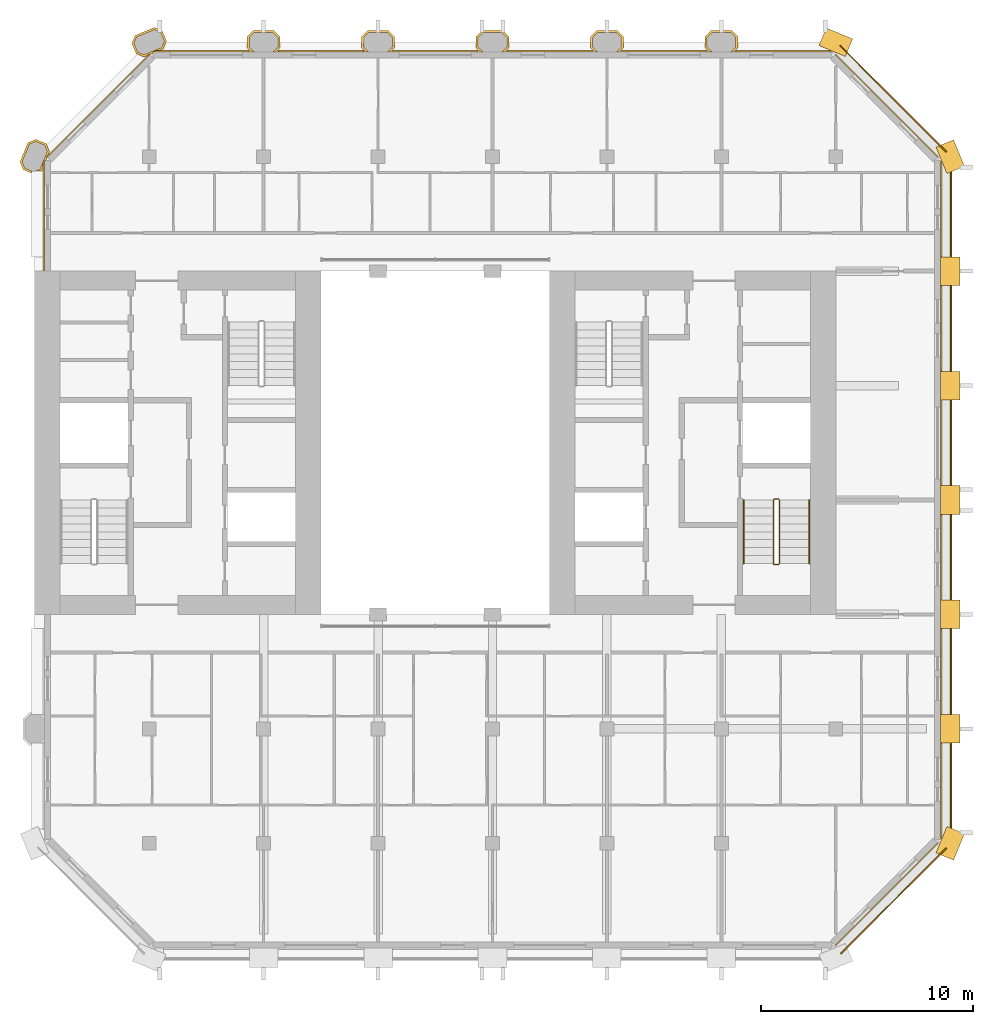
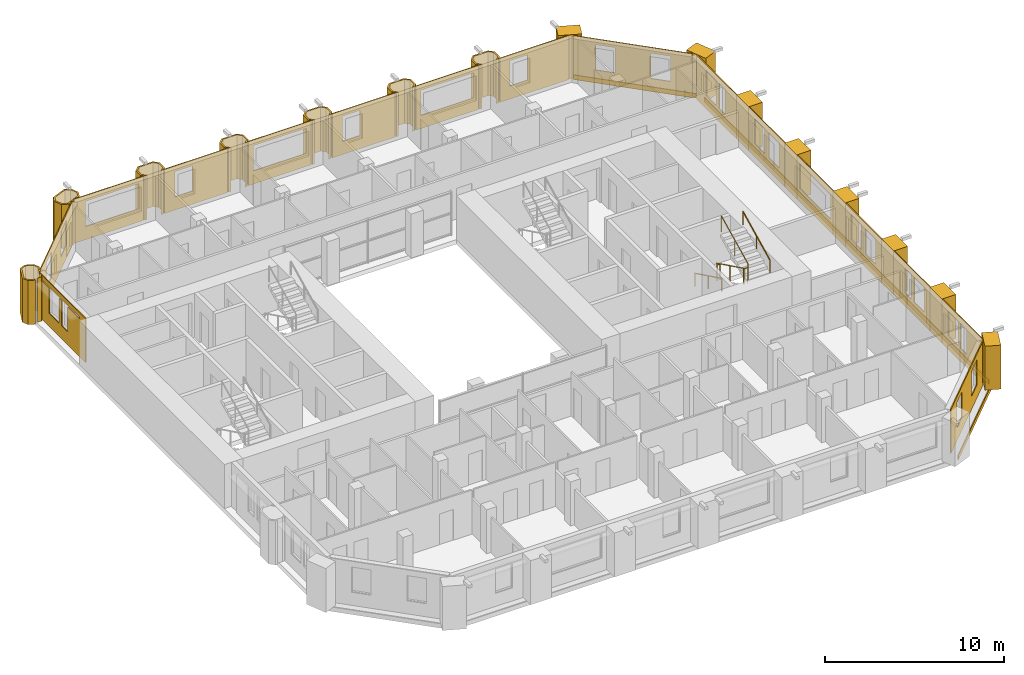
# One storey, part 14 of 14: 34 coverings, 3 railings.
"""IFC4 building model written with IfcOpenShell, lengths in metres."""

from ifc_helpers import new_model, si_unit, direction, frame, frame_2d, origin, origin_2d, place, context, subcontext, project, spatial, polyline, rectangle, circle, outline, extrude, material, layer, layer_set, type_object, element, save


model = new_model("IFC4")

# Units and contexts
model_context = context("Model", 3, precision=1e-05, world=origin(), true_north=direction((0.0, 1.0)))
body_context = subcontext(model_context, "Body", "Model", "MODEL_VIEW")
ifc_project = project(units=[si_unit("LENGTHUNIT", "METRE"), si_unit("AREAUNIT", "SQUARE_METRE"), si_unit("VOLUMEUNIT", "CUBIC_METRE"), si_unit("PLANEANGLEUNIT", "RADIAN"), si_unit("MASSUNIT", "GRAM", prefix="KILO")], contexts=[model_context])

# Site, building, storey
site_placement = place(None, origin())
site = spatial("IfcSite", under=ifc_project, at=site_placement, CompositionType="ELEMENT")
building_placement = place(site_placement, origin())
building = spatial("IfcBuilding", under=site, at=building_placement, Name="Tabaq Tower and Sports Hall", CompositionType="ELEMENT")
storey_placement = place(building_placement, frame((0.0, 0.0, 275.199951171875)))
storey = spatial("IfcBuildingStorey", under=building, at=storey_placement, Name="L67", CompositionType="ELEMENT", Elevation=275.199951171875)

# Coverings
ifc_material_1 = material(Name="Precast concrete C60/75", Category="concrete")
ifc_layer_1 = layer(ifc_material_1, 0.10009765625)
ifc_layer_set_1 = layer_set([ifc_layer_1], Name="Column cladding 100")
covering_type_1 = type_object("IfcCoveringType", Name="Column cladding 100", PredefinedType="CLADDING", material=ifc_layer_set_1)
covering_1_placement = place(storey_placement, origin())
element("IfcCovering", 1, at=covering_1_placement, inside=storey, type_object=covering_type_1, Name="Column cladding L67 PC-2H-R1", PredefinedType="CLADDING", context=body_context, shape_type="SweptSolid", body=[
    extrude(outline(polyline([(4.857421875, 37.186279296875), (4.7041015625, 37.556396484375), (5.080078125, 38.46435546875), (5.450439453125, 38.61767578125), (5.9423828125, 38.413818359375), (6.095947265625, 38.04345703125), (6.026123046875, 37.875), (5.9501953125, 37.799072265625), (5.9814453125, 37.767578125), (5.91796875, 37.614013671875), (5.849609375, 37.614013671875), (5.849609375, 37.55712890625), (5.789794921875, 37.55712890625), (5.789794921875, 37.304443359375), (5.7197265625, 37.1357421875), (5.694580078125, 37.125244140625), (5.434814453125, 37.125244140625), (5.643798828125, 37.2119140625), (5.98828125, 38.04345703125), (5.866455078125, 38.337646484375), (5.450439453125, 38.510009765625), (5.15625, 38.38818359375), (4.811767578125, 37.556396484375), (4.93359375, 37.26220703125), (5.26416015625, 37.125244140625), (5.249755859375, 37.125244140625), (5.249755859375, 37.023681640625), (4.857421875, 37.186279296875)])), origin(), (0.0, 0.0, 1.0), 3.0),
])
covering_2_placement = place(storey_placement, origin())
element("IfcCovering", 2, at=covering_2_placement, inside=storey, type_object=covering_type_1, Name="Column cladding L67 PC-3I-R1", PredefinedType="CLADDING", context=body_context, shape_type="SweptSolid", body=[
    extrude(outline(polyline([(9.982421875, 43.149658203125), (10.1357421875, 43.519775390625), (11.04345703125, 43.895751953125), (11.413818359375, 43.742431640625), (11.61767578125, 43.25048828125), (11.46435546875, 42.880126953125), (11.295654296875, 42.810302734375), (11.04296875, 42.810302734375), (11.04296875, 42.750244140625), (10.986083984375, 42.750244140625), (10.986083984375, 42.68212890625), (10.83251953125, 42.618408203125), (10.801025390625, 42.64990234375), (10.72509765625, 42.573974609375), (10.556396484375, 42.504150390625), (10.186279296875, 42.657470703125), (9.982421875, 43.149658203125)]), holes=[polyline([(11.510009765625, 43.25048828125), (11.337646484375, 43.66650390625), (11.04345703125, 43.788330078125), (10.2119140625, 43.44384765625), (10.08984375, 43.149658203125), (10.26220703125, 42.733642578125), (10.556396484375, 42.61181640625), (11.38818359375, 42.956298828125), (11.510009765625, 43.25048828125)])]), origin(), (0.0, 0.0, 1.0), 3.0),
])
covering_3_placement = place(storey_placement, origin())
element("IfcCovering", 3, at=covering_3_placement, inside=storey, type_object=covering_type_1, Name="Column cladding L67 PC-4I-R1", PredefinedType="CLADDING", context=body_context, shape_type="SweptSolid", body=[
    extrude(outline(polyline([(15.42529296875, 43.46630859375), (15.708740234375, 43.749755859375), (16.69140625, 43.749755859375), (16.974609375, 43.46630859375), (16.974609375, 42.93359375), (16.791259765625, 42.750244140625), (16.650634765625, 42.750244140625), (16.875244140625, 42.974853515625), (16.875244140625, 43.425048828125), (16.650146484375, 43.650390625), (15.749755859375, 43.650390625), (15.524658203125, 43.425048828125), (15.524658203125, 42.974853515625), (15.749267578125, 42.750244140625), (15.608642578125, 42.750244140625), (15.42529296875, 42.93359375), (15.42529296875, 43.46630859375)])), origin(), (0.0, 0.0, 1.0), 3.0),
])
covering_4_placement = place(storey_placement, origin())
element("IfcCovering", 4, at=covering_4_placement, inside=storey, type_object=covering_type_1, Name="Column cladding L67 PC-5I-R1", PredefinedType="CLADDING", context=body_context, shape_type="SweptSolid", body=[
    extrude(outline(polyline([(20.8251953125, 43.46630859375), (21.108642578125, 43.749755859375), (22.09130859375, 43.749755859375), (22.374755859375, 43.46630859375), (22.374755859375, 42.93359375), (22.19140625, 42.750244140625), (22.05078125, 42.750244140625), (22.275390625, 42.974853515625), (22.275390625, 43.425048828125), (22.050048828125, 43.650390625), (21.14990234375, 43.650390625), (20.9248046875, 43.425048828125), (20.9248046875, 42.974853515625), (21.149169921875, 42.750244140625), (21.0087890625, 42.750244140625), (20.8251953125, 42.93359375), (20.8251953125, 43.46630859375)])), origin(), (0.0, 0.0, 1.0), 3.0),
])
covering_5_placement = place(storey_placement, origin())
element("IfcCovering", 5, at=covering_5_placement, inside=storey, type_object=covering_type_1, Name="Column cladding L67 PC-6I-R1", PredefinedType="CLADDING", context=body_context, shape_type="SweptSolid", body=[
    extrude(outline(polyline([(26.225341796875, 43.46630859375), (26.5087890625, 43.749755859375), (27.4912109375, 43.749755859375), (27.774658203125, 43.46630859375), (27.774658203125, 42.93359375), (27.59130859375, 42.750244140625), (27.45068359375, 42.750244140625), (27.67529296875, 42.974853515625), (27.67529296875, 43.425048828125), (27.4501953125, 43.650390625), (26.5498046875, 43.650390625), (26.32470703125, 43.425048828125), (26.32470703125, 42.974853515625), (26.54931640625, 42.750244140625), (26.40869140625, 42.750244140625), (26.225341796875, 42.93359375), (26.225341796875, 43.46630859375)])), origin(), (0.0, 0.0, 1.0), 3.0),
])
covering_6_placement = place(storey_placement, origin())
element("IfcCovering", 6, at=covering_6_placement, inside=storey, type_object=covering_type_1, Name="Column cladding L67 PC-7I-R1", PredefinedType="CLADDING", context=body_context, shape_type="SweptSolid", body=[
    extrude(outline(polyline([(31.625244140625, 43.46630859375), (31.90869140625, 43.749755859375), (32.891357421875, 43.749755859375), (33.1748046875, 43.46630859375), (33.1748046875, 42.93359375), (32.9912109375, 42.750244140625), (32.850830078125, 42.750244140625), (33.0751953125, 42.974853515625), (33.0751953125, 43.425048828125), (32.85009765625, 43.650390625), (31.949951171875, 43.650390625), (31.724609375, 43.425048828125), (31.724609375, 42.974853515625), (31.94921875, 42.750244140625), (31.80859375, 42.750244140625), (31.625244140625, 42.93359375), (31.625244140625, 43.46630859375)])), origin(), (0.0, 0.0, 1.0), 3.0),
])
covering_7_placement = place(storey_placement, origin())
element("IfcCovering", 7, at=covering_7_placement, inside=storey, type_object=covering_type_1, Name="Column cladding L67 PC-8I-R1", PredefinedType="CLADDING", context=body_context, shape_type="SweptSolid", body=[
    extrude(outline(polyline([(37.025390625, 43.46630859375), (37.30859375, 43.749755859375), (38.291259765625, 43.749755859375), (38.57470703125, 43.46630859375), (38.57470703125, 42.93359375), (38.391357421875, 42.750244140625), (38.250732421875, 42.750244140625), (38.475341796875, 42.974853515625), (38.475341796875, 43.425048828125), (38.250244140625, 43.650390625), (37.349853515625, 43.650390625), (37.124755859375, 43.425048828125), (37.124755859375, 42.974853515625), (37.349365234375, 42.750244140625), (37.208740234375, 42.750244140625), (37.025390625, 42.93359375), (37.025390625, 43.46630859375)])), origin(), (0.0, 0.0, 1.0), 3.0),
])
ifc_material_2 = material(Name="Precast concrete C60/75", Category="concrete")
ifc_layer_2 = layer(ifc_material_2, 0.06005859375)
ifc_layer_set_2 = layer_set([ifc_layer_2], Name="Edge beam cladding 60")
covering_type_2 = type_object("IfcCoveringType", Name="Edge beam cladding 60", PredefinedType="CLADDING", material=ifc_layer_set_2)
covering_8_placement = place(storey_placement, frame((43.432373046875, 0.18994140625, -0.300048828125), z_axis=(0.0, 0.0, 1.0), x_axis=(0.707106781187, 0.707106781187, 0.0)))
element("IfcCovering", 8, at=covering_8_placement, inside=storey, type_object=covering_type_2, Name="Edge beam cladding L67 2", PredefinedType="CLADDING", context=body_context, shape_type="SweptSolid", body=[
    extrude(rectangle(XDim=7.03955078125, YDim=0.06005859375, at=frame_2d((3.519775390625, 0.0))), origin(), (0.0, 0.0, 1.0), 0.300048828125),
])
covering_9_placement = place(storey_placement, frame((48.6298828125, 5.698486328125, -0.300048828125), z_axis=(0.0, 0.0, 1.0), x_axis=(0.0, 1.0, 0.0)))
element("IfcCovering", 9, at=covering_9_placement, inside=storey, type_object=covering_type_2, Name="Edge beam cladding L67 3", PredefinedType="CLADDING", context=body_context, shape_type="SweptSolid", body=[
    extrude(rectangle(XDim=31.802978515625, YDim=0.06005859375, at=frame_2d((15.9013671875, 0.0))), origin(), (0.0, 0.0, 1.0), 0.300048828125),
])
covering_10_placement = place(storey_placement, frame((48.41015625, 38.0322265625, -0.300048828125), z_axis=(0.0, 0.0, 1.0), x_axis=(-0.707106781187, 0.707106781187, 0.0)))
element("IfcCovering", 10, at=covering_10_placement, inside=storey, type_object=covering_type_2, Name="Edge beam cladding L67 4", PredefinedType="CLADDING", context=body_context, shape_type="SweptSolid", body=[
    extrude(rectangle(XDim=7.08837890625, YDim=0.06005859375, at=frame_2d((3.544189453125, 0.0))), origin(), (0.0, 0.0, 1.0), 0.300048828125),
])
ifc_material_3 = material(Name="White precast concrete C60/75", Category="concrete")
covering_type_3 = type_object("IfcCoveringType", Name="Pier cladding hung 1350x900", PredefinedType="CLADDING", material=ifc_material_3)
for number, where, z_axis, x_axis, name in (
    (11, (43.82373046875, 42.941650390625, 0.0), (0.0, 0.0, 1.0), (-0.923893411637, 0.382649923473, 0.0), "Hung pier cladding 8/8"),
    (12, (48.341796875, 4.7763671875, 0.0), (0.0, 0.0, 1.0), (0.382649923473, 0.923893411637, 0.0), "Hung pier cladding 9/1"),
    (13, (48.60009765625, 10.125, 0.0), (0.0, 0.0, 1.0), (0.0, 1.0, 0.0), "Hung pier cladding 9/2"),
    (14, (48.60009765625, 15.52490234375, 0.0), (0.0, 0.0, 1.0), (0.0, 1.0, 0.0), "Hung pier cladding 9/3"),
):
    element("IfcCovering", number, at=place(storey_placement, frame(where, z_axis=z_axis, x_axis=x_axis)), inside=storey, type_object=covering_type_3, Name=name, PredefinedType="CLADDING", context=body_context, shape_type="SweptSolid", body=[
        extrude(rectangle(XDim=1.35009765625, YDim=0.89990234375, at=frame_2d((0.675048828125, 0.0))), origin(), (0.0, 0.0, 1.0), 3.0),
    ])
covering_11_placement = place(storey_placement, frame((48.60009765625, 20.925048828125, 0.0), z_axis=(0.0, 0.0, 1.0), x_axis=(0.0, 1.0, 0.0)))
element("IfcCovering", 15, at=covering_11_placement, inside=storey, type_object=covering_type_3, Name="Hung pier cladding 9/4", PredefinedType="CLADDING", context=body_context, shape_type="SweptSolid", body=[
    extrude(rectangle(XDim=1.349853515625, YDim=0.89990234375, at=frame_2d((0.6748046875, 0.0))), origin(), (0.0, 0.0, 1.0), 3.0),
])
covering_12_placement = place(storey_placement, frame((48.60009765625, 26.324951171875, 0.0), z_axis=(0.0, 0.0, 1.0), x_axis=(0.0, 1.0, 0.0)))
element("IfcCovering", 16, at=covering_12_placement, inside=storey, type_object=covering_type_3, Name="Hung pier cladding 9/5", PredefinedType="CLADDING", context=body_context, shape_type="SweptSolid", body=[
    extrude(rectangle(XDim=1.35009765625, YDim=0.89990234375, at=frame_2d((0.675048828125, 0.0))), origin(), (0.0, 0.0, 1.0), 3.0),
])
covering_13_placement = place(storey_placement, frame((48.60009765625, 31.72509765625, 0.0), z_axis=(0.0, 0.0, 1.0), x_axis=(0.0, 1.0, 0.0)))
element("IfcCovering", 17, at=covering_13_placement, inside=storey, type_object=covering_type_3, Name="Hung pier cladding 9/6", PredefinedType="CLADDING", context=body_context, shape_type="SweptSolid", body=[
    extrude(rectangle(XDim=1.349853515625, YDim=0.89990234375, at=frame_2d((0.6748046875, 0.0))), origin(), (0.0, 0.0, 1.0), 3.0),
])
covering_14_placement = place(storey_placement, frame((48.8583984375, 37.17626953125, 0.0), z_axis=(0.0, 0.0, 1.0), x_axis=(-0.382649923473, 0.923893411637, 0.0)))
element("IfcCovering", 18, at=covering_14_placement, inside=storey, type_object=covering_type_3, Name="Hung pier cladding 9/7", PredefinedType="CLADDING", context=body_context, shape_type="SweptSolid", body=[
    extrude(rectangle(XDim=1.35009765625, YDim=0.89990234375, at=frame_2d((0.675048828125, 0.0))), origin(), (0.0, 0.0, 1.0), 3.0),
])

# Railings
ifc_material_4 = material(Name="Stainless steel", Category="steel")
railing_type_1 = type_object("IfcRailingType", Name="Stair guard", PredefinedType="GUARDRAIL", material=ifc_material_4)
railing_1_placement = place(storey_placement, frame((40.5, 21.64990234375, 0.0)))
element("IfcRailing", 19, at=railing_1_placement, inside=storey, type_object=railing_type_1, Name="L67 ST3 stair guard 1", PredefinedType="GUARDRAIL", context=body_context, shape_type="SweptSolid", body=[
    extrude(circle(Radius=0.02392578125, at=origin_2d()), frame((0.0, 0.0, 1.076171875), z_axis=(-1.0, 0.0, 0.0), x_axis=(0.0, -1.0, 0.0)), (0.0, 0.0, 1.0), 0.199951171875),
    extrude(circle(Radius=0.02392578125, at=origin_2d()), frame((-0.199951171875, 0.0, 1.076171875), z_axis=(-0.254733673405, -0.25349107012, 0.933195066962), x_axis=(0.705375805398, -0.708833529934, 0.0)), (0.0, 0.0, 1.0), 0.196533203125),
    extrude(circle(Radius=0.02392578125, at=origin_2d()), frame((-0.25, -0.0498046875, 1.25927734375), z_axis=(0.0, -0.898368975038, 0.439241601728), x_axis=(1.0, 0.0, 0.0)), (0.0, 0.0, 1.0), 3.33935546875),
    extrude(circle(Radius=0.02392578125, at=origin_2d()), frame((-0.25, -3.0498046875, 2.72607421875), z_axis=(0.707106781187, -0.707106781187, 0.0), x_axis=(0.707106781187, 0.707106781187, 0.0)), (0.0, 0.0, 1.0), 0.07080078125),
    extrude(circle(Radius=0.02392578125, at=origin_2d()), frame((-0.199951171875, -3.099853515625, 2.72607421875), z_axis=(1.0, 0.0, 0.0), x_axis=(0.0, 1.0, 0.0)), (0.0, 0.0, 1.0), 0.199951171875),
    extrude(circle(Radius=0.02392578125, at=origin_2d()), frame((0.0, -3.099853515625, 2.72607421875), z_axis=(0.254653276557, 0.254653276557, 0.932900539971), x_axis=(-0.707106781187, 0.707106781187, 0.0)), (0.0, 0.0, 1.0), 0.196533203125),
    extrude(circle(Radius=0.02392578125, at=origin_2d()), frame((0.050048828125, -3.0498046875, 2.90966796875), z_axis=(0.0, 0.898397823093, 0.439182594671), x_axis=(-1.0, 0.0, 0.0)), (0.0, 0.0, 1.0), 3.33935546875),
    extrude(circle(Radius=0.02099609375, at=origin_2d()), origin(), (0.0, 0.0, 1.0), 1.052001953125),
    extrude(circle(Radius=0.02099609375, at=origin_2d()), frame((-0.199951171875, 0.0, 0.0)), (0.0, 0.0, 1.0), 1.052001953125),
    extrude(circle(Radius=0.02099609375, at=origin_2d()), frame((-0.25, -0.0498046875, 0.183349609375)), (0.0, 0.0, 1.0), 1.052001953125),
    extrude(circle(Radius=0.02099609375, at=origin_2d()), frame((-0.25, -1.5498046875, 0.916748046875)), (0.0, 0.0, 1.0), 1.052001953125),
    extrude(circle(Radius=0.02099609375, at=origin_2d()), frame((-0.25, -3.0498046875, 1.650146484375)), (0.0, 0.0, 1.0), 1.052001953125),
    extrude(circle(Radius=0.02099609375, at=origin_2d()), frame((-0.199951171875, -3.099853515625, 1.650146484375)), (0.0, 0.0, 1.0), 1.052001953125),
    extrude(circle(Radius=0.02099609375, at=origin_2d()), frame((0.0, -3.099853515625, 1.650146484375)), (0.0, 0.0, 1.0), 1.052001953125),
    extrude(circle(Radius=0.02099609375, at=origin_2d()), frame((0.050048828125, -3.0498046875, 1.83349609375)), (0.0, 0.0, 1.0), 1.052001953125),
    extrude(circle(Radius=0.02099609375, at=origin_2d()), frame((0.050048828125, -1.5498046875, 2.56689453125)), (0.0, 0.0, 1.0), 1.052001953125),
    extrude(circle(Radius=0.02099609375, at=origin_2d()), frame((0.050048828125, -0.0498046875, 3.300048828125)), (0.0, 0.0, 1.0), 1.052001953125),
])
ifc_material_5 = material(Name="Stainless steel", Category="steel")
railing_type_2 = type_object("IfcRailingType", Name="Stair handrail", PredefinedType="HANDRAIL", material=ifc_material_5)
railing_2_placement = place(storey_placement, frame((38.85009765625, 21.60009765625, 0.183349609375)))
element("IfcRailing", 20, at=railing_2_placement, inside=storey, type_object=railing_type_2, Name="L67 ST3 stair handrail 1", PredefinedType="HANDRAIL", context=body_context, shape_type="SweptSolid", body=[
    extrude(circle(Radius=0.02392578125, at=origin_2d()), frame((0.0, 0.0, 0.8759765625), z_axis=(0.0, -0.898368975038, 0.439241601728), x_axis=(1.0, 0.0, 0.0)), (0.0, 0.0, 1.0), 3.33935546875),
    extrude(circle(Radius=0.02099609375, at=origin_2d()), origin(), (0.0, 0.0, 1.0), 0.851806640625),
    extrude(circle(Radius=0.02099609375, at=origin_2d()), frame((0.0, -1.5, 0.7333984375)), (0.0, 0.0, 1.0), 0.851806640625),
    extrude(circle(Radius=0.02099609375, at=origin_2d()), frame((0.0, -3.0, 1.466796875)), (0.0, 0.0, 1.0), 0.851806640625),
])
railing_3_placement = place(storey_placement, frame((41.949951171875, 18.60009765625, 1.83349609375)))
element("IfcRailing", 21, at=railing_3_placement, inside=storey, type_object=railing_type_2, Name="L67 ST3 stair handrail 2", PredefinedType="HANDRAIL", context=body_context, shape_type="SweptSolid", body=[
    extrude(circle(Radius=0.02392578125, at=origin_2d()), frame((0.0, 0.0, 0.8759765625), z_axis=(0.0, 0.898397823093, 0.439182594671), x_axis=(-1.0, 0.0, 0.0)), (0.0, 0.0, 1.0), 3.33935546875),
    extrude(circle(Radius=0.02099609375, at=origin_2d()), origin(), (0.0, 0.0, 1.0), 0.851806640625),
    extrude(circle(Radius=0.02099609375, at=origin_2d()), frame((0.0, 1.5, 0.7333984375)), (0.0, 0.0, 1.0), 0.851806640625),
    extrude(circle(Radius=0.02099609375, at=origin_2d()), frame((0.0, 3.0, 1.466552734375)), (0.0, 0.0, 1.0), 0.851806640625),
])

# Coverings
ifc_material_6 = material(Name="Precast concrete C60/75", Category="concrete")
ifc_layer_3 = layer(ifc_material_6, 0.06005859375)
ifc_layer_set_3 = layer_set([ifc_layer_3], Name="White precast cladding panel 60 C60/75")
covering_type_4 = type_object("IfcCoveringType", Name="White precast cladding panel 60 C60/75", PredefinedType="CLADDING", material=ifc_layer_set_3)
covering_15_placement = place(storey_placement, frame((43.177734375, 0.57177734375, 0.0), z_axis=(0.0, 0.0, 1.0), x_axis=(0.707106781187, 0.707106781187, 0.0)))
element("IfcCovering", 22, at=covering_15_placement, inside=storey, type_object=covering_type_4, Name="White precast cladding panel L67 wall01", PredefinedType="CLADDING", context=body_context, shape_type="SweptSolid", body=[
    extrude(outline(polyline([(0.0, 0.0), (6.85986328125, 0.0), (6.85986328125, 3.0), (0.0, 3.0), (0.0, 0.0)]), holes=[polyline([(1.269775390625, 2.610107421875), (2.389892578125, 2.610107421875), (2.389892578125, 0.89013671875), (1.269775390625, 0.89013671875), (1.269775390625, 2.610107421875)]), polyline([(4.4697265625, 2.610107421875), (5.58984375, 2.610107421875), (5.58984375, 0.89013671875), (4.4697265625, 0.89013671875), (4.4697265625, 2.610107421875)])]), frame((0.0, 0.030029296875, 0.0), z_axis=(0.0, -1.0, 0.0), x_axis=(1.0, 0.0, 0.0)), (0.0, 0.0, 1.0), 0.06005859375),
])
covering_16_placement = place(storey_placement, frame((48.179931640625, 5.64306640625, 0.0), z_axis=(0.0, 0.0, 1.0), x_axis=(0.0, 1.0, 0.0)))
element("IfcCovering", 23, at=covering_16_placement, inside=storey, type_object=covering_type_4, Name="White precast cladding panel L67 wall02", PredefinedType="CLADDING", context=body_context, shape_type="SweptSolid", body=[
    extrude(outline(polyline([(0.0, 0.0), (4.471923828125, 0.0), (4.471923828125, 3.0), (0.0, 3.0), (0.0, 0.0)]), holes=[polyline([(1.721923828125, 2.610107421875), (2.391845703125, 2.610107421875), (2.391845703125, 0.89013671875), (1.721923828125, 0.89013671875), (1.721923828125, 2.610107421875)]), polyline([(2.69677734375, 2.610107421875), (3.81689453125, 2.610107421875), (3.81689453125, 0.89013671875), (2.69677734375, 0.89013671875), (2.69677734375, 2.610107421875)])]), frame((0.0, 0.030029296875, 0.0), z_axis=(0.0, -1.0, 0.0), x_axis=(1.0, 0.0, 0.0)), (0.0, 0.0, 1.0), 0.06005859375),
])
covering_17_placement = place(storey_placement, frame((48.179931640625, 11.485107421875, 0.0), z_axis=(0.0, 0.0, 1.0), x_axis=(0.0, 1.0, 0.0)))
element("IfcCovering", 24, at=covering_17_placement, inside=storey, type_object=covering_type_4, Name="White precast cladding panel L67 wall02 2", PredefinedType="CLADDING", context=body_context, shape_type="SweptSolid", body=[
    extrude(outline(polyline([(0.0, 0.0), (4.02978515625, 0.0), (4.02978515625, 3.0), (0.0, 3.0), (0.0, 0.0)]), holes=[polyline([(0.655029296875, 2.610107421875), (1.77490234375, 2.610107421875), (1.77490234375, 0.89013671875), (0.655029296875, 0.89013671875), (0.655029296875, 2.610107421875)]), polyline([(2.080078125, 2.610107421875), (2.75, 2.610107421875), (2.75, 0.89013671875), (2.080078125, 0.89013671875), (2.080078125, 2.610107421875)])]), frame((0.0, 0.030029296875, 0.0), z_axis=(0.0, -1.0, 0.0), x_axis=(1.0, 0.0, 0.0)), (0.0, 0.0, 1.0), 0.06005859375),
])
covering_18_placement = place(storey_placement, frame((48.179931640625, 16.885009765625, 0.0), z_axis=(0.0, 0.0, 1.0), x_axis=(0.0, 1.0, 0.0)))
element("IfcCovering", 25, at=covering_18_placement, inside=storey, type_object=covering_type_4, Name="White precast cladding panel L67 wall02 3", PredefinedType="CLADDING", context=body_context, shape_type="SweptSolid", body=[
    extrude(outline(polyline([(0.0, 0.0), (4.030029296875, 0.0), (4.030029296875, 3.0), (0.0, 3.0), (0.0, 0.0)]), holes=[polyline([(0.655029296875, 2.610107421875), (1.77490234375, 2.610107421875), (1.77490234375, 0.89013671875), (0.655029296875, 0.89013671875), (0.655029296875, 2.610107421875)]), polyline([(2.2548828125, 2.610107421875), (3.375, 2.610107421875), (3.375, 0.89013671875), (2.2548828125, 0.89013671875), (2.2548828125, 2.610107421875)])]), frame((0.0, 0.030029296875, 0.0), z_axis=(0.0, -1.0, 0.0), x_axis=(1.0, 0.0, 0.0)), (0.0, 0.0, 1.0), 0.06005859375),
])
covering_19_placement = place(storey_placement, frame((48.179931640625, 22.284912109375, 0.0), z_axis=(0.0, 0.0, 1.0), x_axis=(0.0, 1.0, 0.0)))
element("IfcCovering", 26, at=covering_19_placement, inside=storey, type_object=covering_type_4, Name="White precast cladding panel L67 wall02 4", PredefinedType="CLADDING", context=body_context, shape_type="SweptSolid", body=[
    extrude(outline(polyline([(0.0, 0.0), (4.030029296875, 0.0), (4.030029296875, 3.0), (0.0, 3.0), (0.0, 0.0)]), holes=[polyline([(0.304931640625, 0.89013671875), (0.304931640625, 2.610107421875), (3.72509765625, 2.610107421875), (3.72509765625, 0.89013671875), (0.304931640625, 0.89013671875)])]), frame((0.0, 0.030029296875, 0.0), z_axis=(0.0, -1.0, 0.0), x_axis=(1.0, 0.0, 0.0)), (0.0, 0.0, 1.0), 0.06005859375),
])
covering_20_placement = place(storey_placement, frame((48.179931640625, 27.68505859375, 0.0), z_axis=(0.0, 0.0, 1.0), x_axis=(0.0, 1.0, 0.0)))
element("IfcCovering", 27, at=covering_20_placement, inside=storey, type_object=covering_type_4, Name="White precast cladding panel L67 wall02 5", PredefinedType="CLADDING", context=body_context, shape_type="SweptSolid", body=[
    extrude(outline(polyline([(0.0, 0.0), (4.030029296875, 0.0), (4.030029296875, 3.0), (0.0, 3.0), (0.0, 0.0)]), holes=[polyline([(0.655029296875, 2.610107421875), (1.77490234375, 2.610107421875), (1.77490234375, 0.89013671875), (0.655029296875, 0.89013671875), (0.655029296875, 2.610107421875)]), polyline([(2.2548828125, 2.610107421875), (3.375, 2.610107421875), (3.375, 0.89013671875), (2.2548828125, 0.89013671875), (2.2548828125, 2.610107421875)])]), frame((0.0, 0.030029296875, 0.0), z_axis=(0.0, -1.0, 0.0), x_axis=(1.0, 0.0, 0.0)), (0.0, 0.0, 1.0), 0.06005859375),
])
covering_21_placement = place(storey_placement, frame((48.179931640625, 33.0849609375, 0.0), z_axis=(0.0, 0.0, 1.0), x_axis=(0.0, 1.0, 0.0)))
element("IfcCovering", 28, at=covering_21_placement, inside=storey, type_object=covering_type_4, Name="White precast cladding panel L67 wall02 6", PredefinedType="CLADDING", context=body_context, shape_type="SweptSolid", body=[
    extrude(outline(polyline([(0.0, 0.0), (4.471923828125, 0.0), (4.471923828125, 3.0), (0.0, 3.0), (0.0, 0.0)]), holes=[polyline([(1.280029296875, 2.610107421875), (1.949951171875, 2.610107421875), (1.949951171875, 0.89013671875), (1.280029296875, 0.89013671875), (1.280029296875, 2.610107421875)]), polyline([(2.2548828125, 2.610107421875), (3.375, 2.610107421875), (3.375, 0.89013671875), (2.2548828125, 0.89013671875), (2.2548828125, 2.610107421875)])]), frame((0.0, 0.030029296875, 0.0), z_axis=(0.0, -1.0, 0.0), x_axis=(1.0, 0.0, 0.0)), (0.0, 0.0, 1.0), 0.06005859375),
])
covering_22_placement = place(storey_placement, frame((48.0283203125, 37.77783203125, 0.0), z_axis=(0.0, 0.0, 1.0), x_axis=(-0.707124576528, 0.707088985397, 0.0)))
element("IfcCovering", 29, at=covering_22_placement, inside=storey, type_object=covering_type_4, Name="White precast cladding panel L67 wall03", PredefinedType="CLADDING", context=body_context, shape_type="SweptSolid", body=[
    extrude(outline(polyline([(0.0, 0.0), (6.859619140625, 0.0), (6.859619140625, 3.0), (0.0, 3.0), (0.0, 0.0)]), holes=[polyline([(1.269775390625, 2.610107421875), (2.389892578125, 2.610107421875), (2.389892578125, 0.89013671875), (1.269775390625, 0.89013671875), (1.269775390625, 2.610107421875)]), polyline([(4.4697265625, 2.610107421875), (5.58984375, 2.610107421875), (5.58984375, 0.89013671875), (4.4697265625, 0.89013671875), (4.4697265625, 2.610107421875)])]), frame((0.0, 0.030029296875, 0.0), z_axis=(0.0, -1.0, 0.0), x_axis=(1.0, 0.0, 0.0)), (0.0, 0.0, 1.0), 0.06005859375),
])
covering_23_placement = place(storey_placement, frame((42.956787109375, 42.780029296875, 0.0), z_axis=(0.0, 0.0, 1.0), x_axis=(-1.0, 0.0, 0.0)))
element("IfcCovering", 30, at=covering_23_placement, inside=storey, type_object=covering_type_4, Name="White precast cladding panel L67 wall04", PredefinedType="CLADDING", context=body_context, shape_type="SweptSolid", body=[
    extrude(outline(polyline([(0.0, 0.0), (4.4716796875, 0.0), (4.4716796875, 3.0), (0.0, 3.0), (0.0, 0.0)]), holes=[polyline([(2.69677734375, 0.89013671875), (2.69677734375, 2.610107421875), (3.81689453125, 2.610107421875), (3.81689453125, 0.89013671875), (2.69677734375, 0.89013671875)])]), frame((0.0, 0.030029296875, 0.0), z_axis=(0.0, -1.0, 0.0), x_axis=(1.0, 0.0, 0.0)), (0.0, 0.0, 1.0), 0.06005859375),
])
covering_24_placement = place(storey_placement, frame((37.114990234375, 42.780029296875, 0.0), z_axis=(0.0, 0.0, 1.0), x_axis=(-1.0, 0.0, 0.0)))
element("IfcCovering", 31, at=covering_24_placement, inside=storey, type_object=covering_type_4, Name="White precast cladding panel L67 wall04 2", PredefinedType="CLADDING", context=body_context, shape_type="SweptSolid", body=[
    extrude(outline(polyline([(0.0, 0.0), (4.030029296875, 0.0), (4.030029296875, 3.0), (0.0, 3.0), (0.0, 0.0)]), holes=[polyline([(0.304931640625, 0.89013671875), (0.304931640625, 2.610107421875), (3.72509765625, 2.610107421875), (3.72509765625, 0.89013671875), (0.304931640625, 0.89013671875)])]), frame((0.0, 0.030029296875, 0.0), z_axis=(0.0, -1.0, 0.0), x_axis=(1.0, 0.0, 0.0)), (0.0, 0.0, 1.0), 0.06005859375),
])
covering_25_placement = place(storey_placement, frame((31.715087890625, 42.780029296875, 0.0), z_axis=(0.0, 0.0, 1.0), x_axis=(-1.0, 0.0, 0.0)))
element("IfcCovering", 32, at=covering_25_placement, inside=storey, type_object=covering_type_4, Name="White precast cladding panel L67 wall04 3", PredefinedType="CLADDING", context=body_context, shape_type="SweptSolid", body=[
    extrude(outline(polyline([(0.0, 0.0), (4.030029296875, 0.0), (4.030029296875, 3.0), (0.0, 3.0), (0.0, 0.0)]), holes=[polyline([(2.2548828125, 0.89013671875), (2.2548828125, 2.610107421875), (3.375, 2.610107421875), (3.375, 0.89013671875), (2.2548828125, 0.89013671875)])]), frame((0.0, 0.030029296875, 0.0), z_axis=(0.0, -1.0, 0.0), x_axis=(1.0, 0.0, 0.0)), (0.0, 0.0, 1.0), 0.06005859375),
])
covering_26_placement = place(storey_placement, frame((26.31494140625, 42.780029296875, 0.0), z_axis=(0.0, 0.0, 1.0), x_axis=(-1.0, 0.0, 0.0)))
element("IfcCovering", 33, at=covering_26_placement, inside=storey, type_object=covering_type_4, Name="White precast cladding panel L67 wall04 4", PredefinedType="CLADDING", context=body_context, shape_type="SweptSolid", body=[
    extrude(outline(polyline([(0.0, 0.0), (4.030029296875, 0.0), (4.030029296875, 3.0), (0.0, 3.0), (0.0, 0.0)]), holes=[polyline([(0.304931640625, 0.89013671875), (0.304931640625, 2.610107421875), (3.72509765625, 2.610107421875), (3.72509765625, 0.89013671875), (0.304931640625, 0.89013671875)])]), frame((0.0, 0.030029296875, 0.0), z_axis=(0.0, -1.0, 0.0), x_axis=(1.0, 0.0, 0.0)), (0.0, 0.0, 1.0), 0.06005859375),
])
covering_27_placement = place(storey_placement, frame((20.9150390625, 42.780029296875, 0.0), z_axis=(0.0, 0.0, 1.0), x_axis=(-1.0, 0.0, 0.0)))
element("IfcCovering", 34, at=covering_27_placement, inside=storey, type_object=covering_type_4, Name="White precast cladding panel L67 wall04 5", PredefinedType="CLADDING", context=body_context, shape_type="SweptSolid", body=[
    extrude(outline(polyline([(0.0, 0.0), (4.030029296875, 0.0), (4.030029296875, 3.0), (0.0, 3.0), (0.0, 0.0)]), holes=[polyline([(2.2548828125, 0.89013671875), (2.2548828125, 2.610107421875), (3.375, 2.610107421875), (3.375, 0.89013671875), (2.2548828125, 0.89013671875)])]), frame((0.0, 0.030029296875, 0.0), z_axis=(0.0, -1.0, 0.0), x_axis=(1.0, 0.0, 0.0)), (0.0, 0.0, 1.0), 0.06005859375),
])
covering_28_placement = place(storey_placement, frame((15.514892578125, 42.780029296875, 0.0), z_axis=(0.0, 0.0, 1.0), x_axis=(-1.0, 0.0, 0.0)))
element("IfcCovering", 35, at=covering_28_placement, inside=storey, type_object=covering_type_4, Name="White precast cladding panel L67 wall04 6", PredefinedType="CLADDING", context=body_context, shape_type="SweptSolid", body=[
    extrude(outline(polyline([(0.0, 0.0), (4.4716796875, 0.0), (4.4716796875, 3.0), (0.0, 3.0), (0.0, 0.0)]), holes=[polyline([(0.304931640625, 0.89013671875), (0.304931640625, 2.610107421875), (3.72509765625, 2.610107421875), (3.72509765625, 0.89013671875), (0.304931640625, 0.89013671875)])]), frame((0.0, 0.030029296875, 0.0), z_axis=(0.0, -1.0, 0.0), x_axis=(1.0, 0.0, 0.0)), (0.0, 0.0, 1.0), 0.06005859375),
])
covering_29_placement = place(storey_placement, frame((10.822265625, 42.628173828125, 0.0), z_axis=(0.0, 0.0, 1.0), x_axis=(-0.707124576528, -0.707088985397, 0.0)))
element("IfcCovering", 36, at=covering_29_placement, inside=storey, type_object=covering_type_4, Name="White precast cladding panel L67 wall05", PredefinedType="CLADDING", context=body_context, shape_type="SweptSolid", body=[
    extrude(outline(polyline([(0.0, 0.0), (6.859619140625, 0.0), (6.859619140625, 3.0), (0.0, 3.0), (0.0, 0.0)]), holes=[polyline([(1.269775390625, 2.610107421875), (2.389892578125, 2.610107421875), (2.389892578125, 0.89013671875), (1.269775390625, 0.89013671875), (1.269775390625, 2.610107421875)]), polyline([(4.4697265625, 2.610107421875), (5.58984375, 2.610107421875), (5.58984375, 0.89013671875), (4.4697265625, 0.89013671875), (4.4697265625, 2.610107421875)])]), frame((0.0, 0.030029296875, 0.0), z_axis=(0.0, -1.0, 0.0), x_axis=(1.0, 0.0, 0.0)), (0.0, 0.0, 1.0), 0.06005859375),
])
covering_30_placement = place(storey_placement, frame((5.820068359375, 37.556884765625, 0.0), z_axis=(0.0, 0.0, 1.0), x_axis=(0.0, -1.0, 0.0)))
element("IfcCovering", 37, at=covering_30_placement, inside=storey, type_object=covering_type_4, Name="White precast cladding panel L67 wall06", PredefinedType="CLADDING", context=body_context, shape_type="SweptSolid", body=[
    extrude(outline(polyline([(0.0, 0.0), (5.156982421875, 0.0), (5.156982421875, 3.0), (0.0, 3.0), (0.0, 0.0)]), holes=[polyline([(1.096923828125, 2.590087890625), (0.421875, 2.590087890625), (0.421875, 2.7099609375), (4.491943359375, 2.7099609375), (4.491943359375, 2.590087890625), (3.19189453125, 2.590087890625), (3.19189453125, 0.89013671875), (2.521728515625, 0.89013671875), (2.521728515625, 2.590087890625), (2.216796875, 2.590087890625), (2.216796875, 0.89013671875), (1.096923828125, 0.89013671875), (1.096923828125, 2.590087890625)])]), frame((0.0, 0.030029296875, 0.0), z_axis=(0.0, -1.0, 0.0), x_axis=(1.0, 0.0, 0.0)), (0.0, 0.0, 1.0), 0.06005859375),
])

save(model, "model.ifc")
